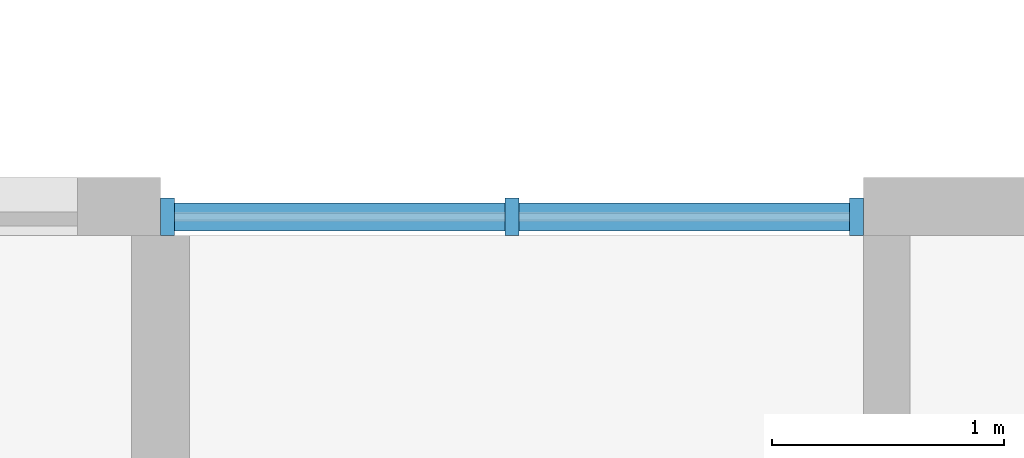
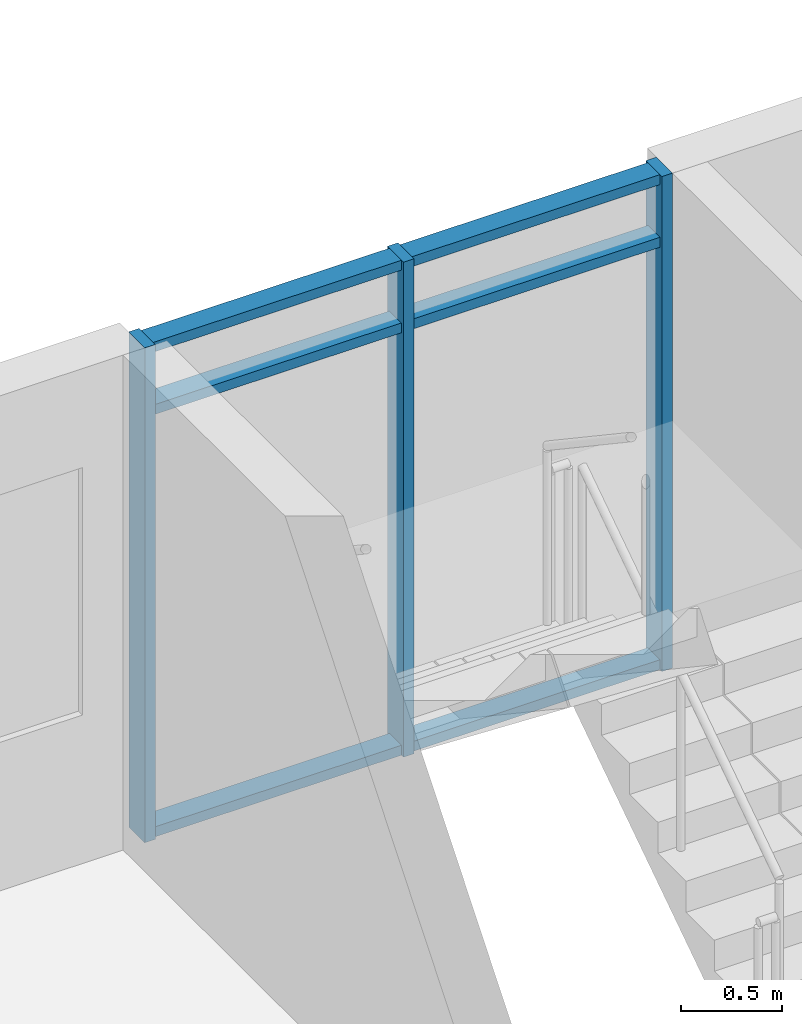
# One storey, part 22 of 78: 9 members, 1 element without a shape of its own.
"""IFC4 building model written with IfcOpenShell, lengths in metres."""

from ifc_helpers import new_model, si_unit, direction, frame, origin, origin_2d, place, context, subcontext, project, spatial, rectangle, extrude, material, material_profile, profile_set, type_object, element, aggregate, save


model = new_model("IFC4")

# Units and contexts
model_context = context("Model", 3, precision=1e-05, world=origin(), true_north=direction((0.0, 1.0)))
body_context = subcontext(model_context, "Body", "Model", "MODEL_VIEW")
ifc_project = project(units=[si_unit("LENGTHUNIT", "METRE"), si_unit("AREAUNIT", "SQUARE_METRE"), si_unit("VOLUMEUNIT", "CUBIC_METRE"), si_unit("PLANEANGLEUNIT", "RADIAN"), si_unit("MASSUNIT", "GRAM", prefix="KILO")], contexts=[model_context])

# Site, building, storey
site_placement = place(None, origin())
site = spatial("IfcSite", under=ifc_project, at=site_placement, CompositionType="ELEMENT")
building_placement = place(site_placement, origin())
building = spatial("IfcBuilding", under=site, at=building_placement, Name="Ridgestep Commons", CompositionType="ELEMENT")
storey_placement = place(building_placement, frame((0.0, 0.0, 30.0)))
storey = spatial("IfcBuildingStorey", under=building, at=storey_placement, Name="L10", CompositionType="ELEMENT", Elevation=30.0)

# Curtain wall, members
ifc_material_1 = material(Name="Aluminium 6063-T6 and glass", Category="aluminium")
curtain_wall_type = type_object("IfcCurtainWallType", Name="Curtain wall stair strip", PredefinedType="NOTDEFINED", material=ifc_material_1)
curtain_wall_placement = place(storey_placement, origin())
curtain_wall = element("IfcCurtainWall", 1, at=curtain_wall_placement, inside=storey, type_object=curtain_wall_type, Name="Curtain wall C5C level 10", PredefinedType="NOTDEFINED")
ifc_material_2 = material(Name="Aluminium 6063-T6", Category="aluminium")
ifc_material_profile_1 = material_profile(ifc_material_2, rectangle(XDim=0.159912109375, YDim=0.06005859375, at=origin_2d()), Name="Mullion 60 x 160")
ifc_profile_set_1 = profile_set([ifc_material_profile_1], Name="Aluminium 6063-T6")
member_type_1 = type_object("IfcMemberType", Name="Mullion 60 x 160", PredefinedType="MULLION", material=ifc_profile_set_1)
member_1_placement = place(storey_placement, frame((224.830078125, 77.080078125, 0.0), z_axis=(0.0, 0.0, 1.0), x_axis=(0.0, 1.0, 0.0)))
member_1 = element("IfcMember", 2, at=member_1_placement, type_object=member_type_1, Name="CW1 mullion 1", PredefinedType="MULLION", context=body_context, shape_type="SweptSolid", body=[
    extrude(rectangle(XDim=0.159912109375, YDim=0.06005859375, at=origin_2d()), origin(), (0.0, 0.0, 1.0), 3.0),
])
member_2_placement = place(storey_placement, frame((226.3125, 77.080078125, 0.0), z_axis=(0.0, 0.0, 1.0), x_axis=(0.0, 1.0, 0.0)))
member_2 = element("IfcMember", 3, at=member_2_placement, type_object=member_type_1, Name="CW1 mullion 2", PredefinedType="MULLION", context=body_context, shape_type="SweptSolid", body=[
    extrude(rectangle(XDim=0.159912109375, YDim=0.06005859375, at=origin_2d()), origin(), (0.0, 0.0, 1.0), 3.0),
])
member_3_placement = place(storey_placement, frame((227.794921875, 77.080078125, 0.0), z_axis=(0.0, 0.0, 1.0), x_axis=(0.0, 1.0, 0.0)))
member_3 = element("IfcMember", 4, at=member_3_placement, type_object=member_type_1, Name="CW1 mullion 3", PredefinedType="MULLION", context=body_context, shape_type="SweptSolid", body=[
    extrude(rectangle(XDim=0.159912109375, YDim=0.06005859375, at=origin_2d()), origin(), (0.0, 0.0, 1.0), 3.0),
])
ifc_material_3 = material(Name="Aluminium 6063-T6", Category="aluminium")
ifc_material_profile_2 = material_profile(ifc_material_3, rectangle(XDim=0.1201171875, YDim=0.06005859375, at=origin_2d()), Name="Transom 60 x 120")
ifc_profile_set_2 = profile_set([ifc_material_profile_2], Name="Aluminium 6063-T6")
member_type_2 = type_object("IfcMemberType", Name="Transom 60 x 120", PredefinedType="USERDEFINED", material=ifc_profile_set_2)
member_4_placement = place(storey_placement, frame((224.860107421875, 77.080078125, 0.030029296875), z_axis=(1.0, 0.0, 0.0), x_axis=(0.0, 1.0, 0.0)))
member_4 = element("IfcMember", 5, at=member_4_placement, type_object=member_type_2, Name="CW1 transom 1.1", ObjectType="TRANSOM", PredefinedType="USERDEFINED", context=body_context, shape_type="SweptSolid", body=[
    extrude(rectangle(XDim=0.1201171875, YDim=0.06005859375, at=origin_2d()), origin(), (0.0, 0.0, 1.0), 1.42236328125),
])
member_5_placement = place(storey_placement, frame((224.860107421875, 77.080078125, 2.590087890625), z_axis=(1.0, 0.0, 0.0), x_axis=(0.0, 1.0, 0.0)))
member_5 = element("IfcMember", 6, at=member_5_placement, type_object=member_type_2, Name="CW1 transom 1.2", ObjectType="TRANSOM", PredefinedType="USERDEFINED", context=body_context, shape_type="SweptSolid", body=[
    extrude(rectangle(XDim=0.1201171875, YDim=0.06005859375, at=origin_2d()), origin(), (0.0, 0.0, 1.0), 1.42236328125),
])
member_6_placement = place(storey_placement, frame((224.860107421875, 77.080078125, 2.969970703125), z_axis=(1.0, 0.0, 0.0), x_axis=(0.0, 1.0, 0.0)))
member_6 = element("IfcMember", 7, at=member_6_placement, type_object=member_type_2, Name="CW1 transom 1.3", ObjectType="TRANSOM", PredefinedType="USERDEFINED", context=body_context, shape_type="SweptSolid", body=[
    extrude(rectangle(XDim=0.1201171875, YDim=0.06005859375, at=origin_2d()), origin(), (0.0, 0.0, 1.0), 1.42236328125),
])
member_7_placement = place(storey_placement, frame((226.342529296875, 77.080078125, 0.030029296875), z_axis=(1.0, 0.0, 0.0), x_axis=(0.0, 1.0, 0.0)))
member_7 = element("IfcMember", 8, at=member_7_placement, type_object=member_type_2, Name="CW1 transom 2.1", ObjectType="TRANSOM", PredefinedType="USERDEFINED", context=body_context, shape_type="SweptSolid", body=[
    extrude(rectangle(XDim=0.1201171875, YDim=0.06005859375, at=origin_2d()), origin(), (0.0, 0.0, 1.0), 1.42236328125),
])
member_8_placement = place(storey_placement, frame((226.342529296875, 77.080078125, 2.590087890625), z_axis=(1.0, 0.0, 0.0), x_axis=(0.0, 1.0, 0.0)))
member_8 = element("IfcMember", 9, at=member_8_placement, type_object=member_type_2, Name="CW1 transom 2.2", ObjectType="TRANSOM", PredefinedType="USERDEFINED", context=body_context, shape_type="SweptSolid", body=[
    extrude(rectangle(XDim=0.1201171875, YDim=0.06005859375, at=origin_2d()), origin(), (0.0, 0.0, 1.0), 1.42236328125),
])
member_9_placement = place(storey_placement, frame((226.342529296875, 77.080078125, 2.969970703125), z_axis=(1.0, 0.0, 0.0), x_axis=(0.0, 1.0, 0.0)))
member_9 = element("IfcMember", 10, at=member_9_placement, type_object=member_type_2, Name="CW1 transom 2.3", ObjectType="TRANSOM", PredefinedType="USERDEFINED", context=body_context, shape_type="SweptSolid", body=[
    extrude(rectangle(XDim=0.1201171875, YDim=0.06005859375, at=origin_2d()), origin(), (0.0, 0.0, 1.0), 1.42236328125),
])
aggregate(curtain_wall, [member_1, member_2, member_3, member_4, member_5, member_6, member_7, member_8, member_9])

save(model, "model.ifc")
